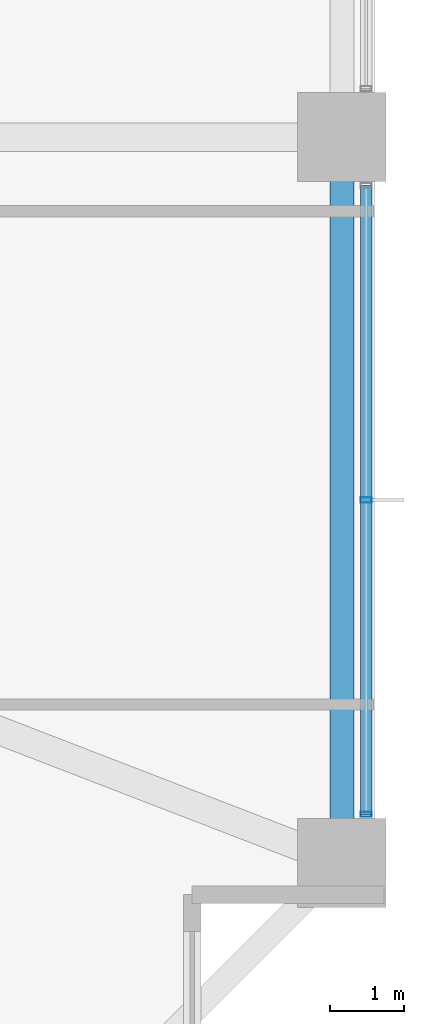
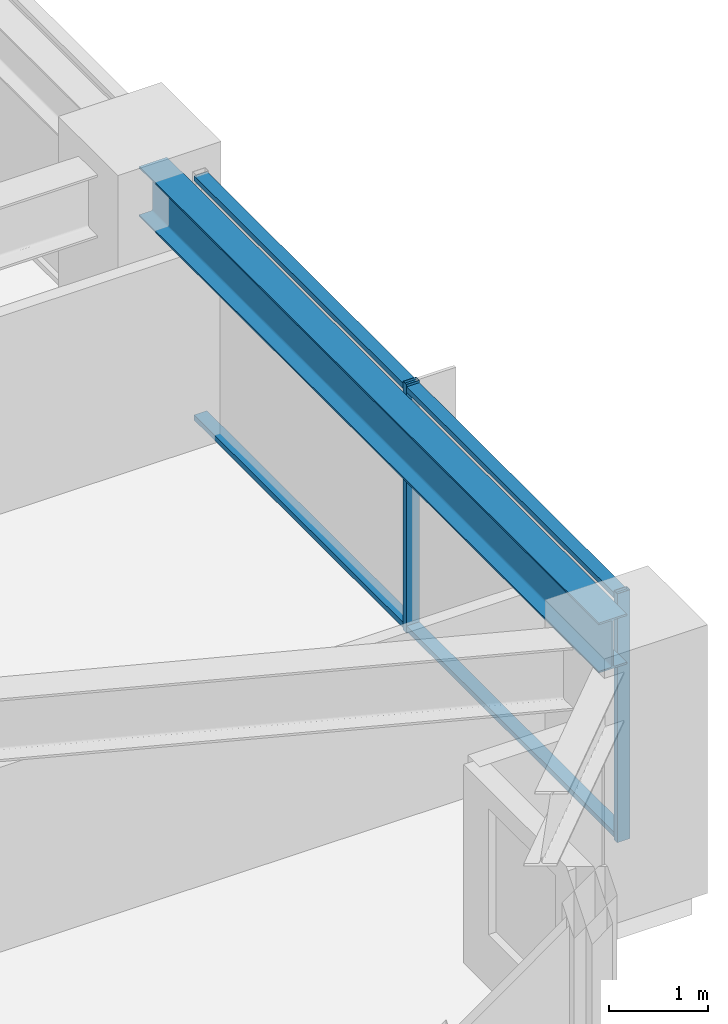
# One storey, part 13 of 38: 4 members, 1 beam, 1 element without a shape of its own.
"""IFC4 building model written with IfcOpenShell, lengths in metres."""

from ifc_helpers import new_model, si_unit, direction, frame, origin, origin_2d, place, context, subcontext, project, spatial, hollow_rectangle, i_section, extrude, material, material_profile, profile_set, type_object, element, aggregate, save


model = new_model("IFC4")

# Units and contexts
model_context = context("Model", 3, precision=1e-05, world=origin(), true_north=direction((0.0, 1.0)))
body_context = subcontext(model_context, "Body", "Model", "MODEL_VIEW")
ifc_project = project(units=[si_unit("LENGTHUNIT", "METRE"), si_unit("AREAUNIT", "SQUARE_METRE"), si_unit("VOLUMEUNIT", "CUBIC_METRE"), si_unit("PLANEANGLEUNIT", "RADIAN"), si_unit("MASSUNIT", "GRAM", prefix="KILO")], contexts=[model_context])

# Site, building, storey
site_placement = place(None, origin())
site = spatial("IfcSite", under=ifc_project, at=site_placement, CompositionType="ELEMENT")
building_placement = place(site_placement, origin())
building = spatial("IfcBuilding", under=site, at=building_placement, Name="Kolvaren Belvedere", CompositionType="ELEMENT")
storey_placement = place(building_placement, frame((0.0, 0.0, 30.39990234375)))
storey = spatial("IfcBuildingStorey", under=building, at=storey_placement, Name="L08", CompositionType="ELEMENT", Elevation=30.39990234375)

# Beam
ifc_material_1 = material(Name="Structural steel ASTM A992 Grade 50", Category="steel")
ifc_material_profile_1 = material_profile(ifc_material_1, i_section(OverallWidth=0.324951171875, OverallDepth=0.615966796875, WebThickness=0.013916015625, FlangeThickness=0.021484375, FilletRadius=0.02001953125, at=origin_2d()), Name="W24X117")
ifc_profile_set_1 = profile_set([ifc_material_profile_1], Name="Structural steel ASTM A992 Grade 50")
beam_type = type_object("IfcBeamType", Name="BM-SPAN-W24X117", PredefinedType="SPANDREL", material=ifc_profile_set_1)
beam_placement = place(storey_placement, frame((21.550048828125, -14.1298828125, 2.752197265625), z_axis=(0.0, 1.0, 0.0), x_axis=(-1.0, 0.0, 0.0)))
element("IfcBeam", 1, at=beam_placement, inside=storey, type_object=beam_type, Name="L08 Perimeter Spandrel E1-E2", PredefinedType="SPANDREL", context=body_context, shape_type="SweptSolid", body=[
    extrude(i_section(OverallWidth=0.324951171875, OverallDepth=0.615966796875, WebThickness=0.013916015625, FlangeThickness=0.021484375, FilletRadius=0.02001953125, at=origin_2d()), origin(), (0.0, 0.0, 1.0), 9.259765625),
])

# Curtain wall, members
ifc_material_2 = material(Name="Anodised pale-metal aluminium AA 6063-T6", Category="aluminium")
curtain_wall_type = type_object("IfcCurtainWallType", Name="CW-Z1-LOW", PredefinedType="NOTDEFINED", material=ifc_material_2)
curtain_wall_placement = place(storey_placement, origin())
curtain_wall = element("IfcCurtainWall", 2, at=curtain_wall_placement, inside=storey, type_object=curtain_wall_type, Name="L08 Unitised Curtain Wall FCW-L08-E-B3", PredefinedType="NOTDEFINED")
ifc_material_3 = material(Name="Anodised pale-metal aluminium AA 6063-T6", Category="aluminium")
ifc_material_profile_2 = material_profile(ifc_material_3, hollow_rectangle(XDim=0.070068359375, YDim=0.14990234375, WallThickness=0.004150390625, at=origin_2d()), Name="ALU-MUL-150X70")
ifc_profile_set_2 = profile_set([ifc_material_profile_2], Name="Anodised pale-metal aluminium AA 6063-T6")
member_type_1 = type_object("IfcMemberType", Name="CW-MUL-150", PredefinedType="MULLION", material=ifc_profile_set_2)
member_1_placement = place(storey_placement, frame((21.8798828125, -9.5, 0.0), z_axis=(0.0, 0.0, 1.0), x_axis=(0.0, 1.0, 0.0)))
member_1 = element("IfcMember", 3, at=member_1_placement, type_object=member_type_1, Name="FCW-L08-E-B3 Unitised Mullion 2", PredefinedType="MULLION", context=body_context, shape_type="SweptSolid", body=[
    extrude(hollow_rectangle(XDim=0.070068359375, YDim=0.14990234375, WallThickness=0.004150390625, at=origin_2d()), origin(), (0.0, 0.0, 1.0), 3.06005859375),
])
member_2_placement = place(storey_placement, frame((21.8798828125, -13.7451171875, 0.0), z_axis=(0.0, 0.0, 1.0), x_axis=(0.0, 1.0, 0.0)))
member_2 = element("IfcMember", 4, at=member_2_placement, type_object=member_type_1, Name="FCW-L08-E-B3 Unitised Mullion 3", PredefinedType="MULLION", context=body_context, shape_type="SweptSolid", body=[
    extrude(hollow_rectangle(XDim=0.070068359375, YDim=0.14990234375, WallThickness=0.004150390625, at=origin_2d()), origin(), (0.0, 0.0, 1.0), 3.06005859375),
])
ifc_material_4 = material(Name="Anodised pale-metal aluminium AA 6063-T6", Category="aluminium")
ifc_material_profile_3 = material_profile(ifc_material_4, hollow_rectangle(XDim=0.06494140625, YDim=0.14990234375, WallThickness=0.00390625, at=origin_2d()), Name="ALU-TRN-150X65")
ifc_profile_set_3 = profile_set([ifc_material_profile_3], Name="Anodised pale-metal aluminium AA 6063-T6")
member_type_2 = type_object("IfcMemberType", Name="CW-TRN-150", PredefinedType="USERDEFINED", material=ifc_profile_set_3)
member_3_placement = place(storey_placement, frame((21.8798828125, -5.2548828125, 0.06005859375), z_axis=(0.0, -1.0, 0.0), x_axis=(0.0, 0.0, 1.0)))
member_3 = element("IfcMember", 5, at=member_3_placement, type_object=member_type_2, Name="FCW-L08-E-B3 Sill Transom", ObjectType="TRANSOM", PredefinedType="USERDEFINED", context=body_context, shape_type="SweptSolid", body=[
    extrude(hollow_rectangle(XDim=0.06494140625, YDim=0.14990234375, WallThickness=0.00390625, at=origin_2d()), origin(), (0.0, 0.0, 1.0), 8.490234375),
])
member_4_placement = place(storey_placement, frame((21.8798828125, -5.2548828125, 3.0), z_axis=(0.0, -1.0, 0.0), x_axis=(0.0, 0.0, 1.0)))
member_4 = element("IfcMember", 6, at=member_4_placement, type_object=member_type_2, Name="FCW-L08-E-B3 Head Transom", ObjectType="TRANSOM", PredefinedType="USERDEFINED", context=body_context, shape_type="SweptSolid", body=[
    extrude(hollow_rectangle(XDim=0.06494140625, YDim=0.14990234375, WallThickness=0.00390625, at=origin_2d()), origin(), (0.0, 0.0, 1.0), 8.490234375),
])
aggregate(curtain_wall, [member_1, member_2, member_3, member_4])

save(model, "model.ifc")
